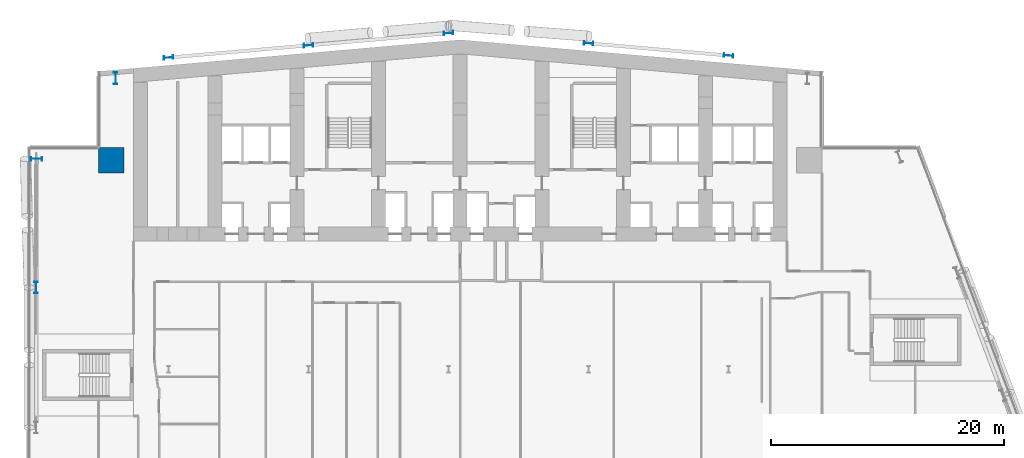
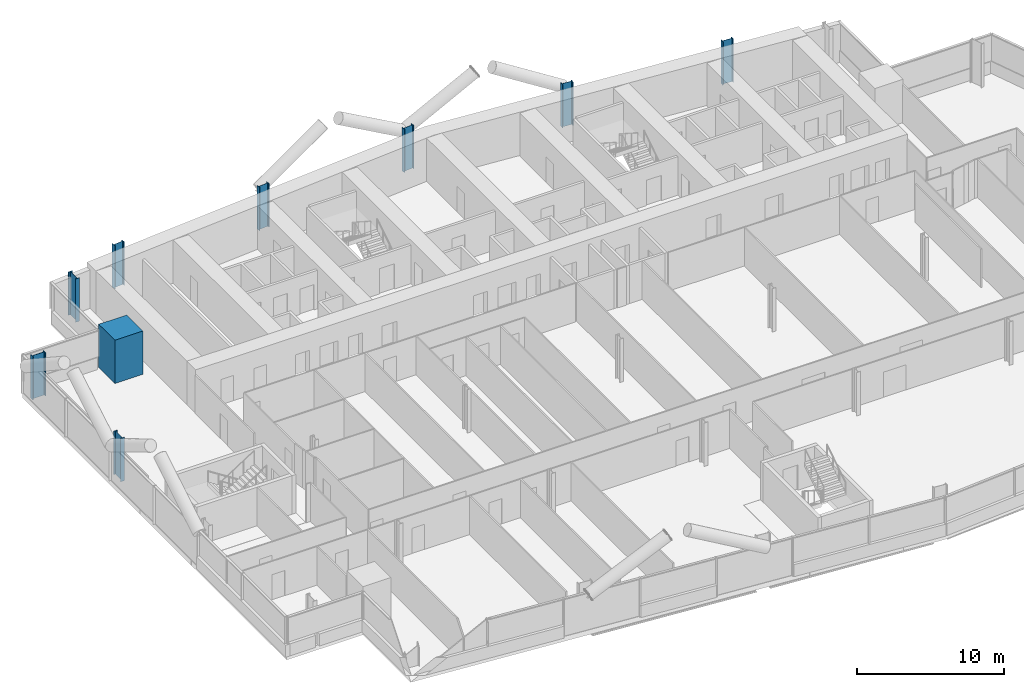
# One storey, part 2 of 27: 9 columns.
"""IFC4 building model written with IfcOpenShell, lengths in metres."""

from ifc_helpers import new_model, si_unit, direction, frame, origin, origin_2d, place, context, subcontext, project, spatial, rectangle, i_section, extrude, material, material_profile, profile_set, type_object, element, save


model = new_model("IFC4")

# Units and contexts
model_context = context("Model", 3, precision=1e-05, world=origin(), true_north=direction((0.0, 1.0)))
body_context = subcontext(model_context, "Body", "Model", "MODEL_VIEW")
ifc_project = project(units=[si_unit("LENGTHUNIT", "METRE"), si_unit("AREAUNIT", "SQUARE_METRE"), si_unit("VOLUMEUNIT", "CUBIC_METRE"), si_unit("PLANEANGLEUNIT", "RADIAN"), si_unit("MASSUNIT", "GRAM", prefix="KILO")], contexts=[model_context])

# Site, building, storey
site_placement = place(None, origin())
site = spatial("IfcSite", under=ifc_project, at=site_placement, CompositionType="ELEMENT")
building_placement = place(site_placement, origin())
building = spatial("IfcBuilding", under=site, at=building_placement, Name="Wharfspan Tower", CompositionType="ELEMENT")
storey_placement = place(building_placement, frame((0.0, 0.0, 45.100098)))
storey = spatial("IfcBuildingStorey", under=building, at=storey_placement, Name="L07", CompositionType="ELEMENT", Elevation=45.100098)

# Columns
ifc_material_1 = material(Name="Steel S355J2", Category="steel")
ifc_material_profile_1 = material_profile(ifc_material_1, i_section(OverallWidth=0.302002, OverallDepth=1.008057, WebThickness=0.020996, FlangeThickness=0.040039, FilletRadius=0.030029, at=origin_2d()))
ifc_profile_set_1 = profile_set([ifc_material_profile_1], Name="Steel S355J2")
column_type_1 = type_object("IfcColumnType", Name="Column HEM 1000", PredefinedType="COLUMN", material=ifc_profile_set_1)
for number, where, z_axis, x_axis, name in (
    (1, (7.466553, 47.933594, 0.0), (0.0, 0.0, 1.0), (-1.0, 0.0, 0.0), "Perimeter column PNRW-V.1 L07"),
    (2, (0.684814, 41.03418, 0.0), (0.0, 0.0, 1.0), (0.0, 1.0, 0.0), "Perimeter column PNRW-H.1 L07"),
    (3, (0.659912, 30.0, 0.0), (0.0, 0.0, 1.0), (-1.0, 0.0, 0.0), "Perimeter column PW.1 L07"),
):
    element("IfcColumn", number, at=place(storey_placement, frame(where, z_axis=z_axis, x_axis=x_axis)), inside=storey, type_object=column_type_1, Name=name, PredefinedType="COLUMN", context=body_context, shape_type="SweptSolid", body=[
        extrude(i_section(OverallWidth=0.302002, OverallDepth=1.008057, WebThickness=0.020996, FlangeThickness=0.040039, FilletRadius=0.030029, at=origin_2d()), origin(), (0.0, 0.0, 1.0), 3.599854),
    ])
ifc_material_profile_2 = material_profile(ifc_material_1, i_section(OverallWidth=0.302979, OverallDepth=0.813965, WebThickness=0.020996, FlangeThickness=0.040039, FilletRadius=0.030029, at=origin_2d()))
ifc_profile_set_2 = profile_set([ifc_material_profile_2], Name="Steel S355J2")
column_type_2 = type_object("IfcColumnType", Name="Column HEM 800", PredefinedType="COLUMN", material=ifc_profile_set_2)
for number, where, z_axis, x_axis, name in (
    (4, (12.0, 49.709961, 0.0), (0.0, 0.0, 1.0), (-0.087156, 0.996197, 0.0), "Rear column R.1 L07"),
    (5, (24.0, 50.759766, 0.0), (0.0, 0.0, 1.0), (-0.087156, 0.996197, 0.0), "Rear column R.2 L07"),
    (6, (36.0, 51.80957, 0.0), (0.0, 0.0, 1.0), (-0.087156, 0.996197, 0.0), "Rear column R.3 L07"),
    (7, (48.0, 50.934814, 0.0), (0.0, 0.0, 1.0), (0.087156, 0.996197, 0.0), "Rear column R.4 L07"),
    (8, (60.0, 49.884766, 0.0), (0.0, 0.0, 1.0), (0.087156, 0.996197, 0.0), "Rear column R.5 L07"),
):
    element("IfcColumn", number, at=place(storey_placement, frame(where, z_axis=z_axis, x_axis=x_axis)), inside=storey, type_object=column_type_2, Name=name, PredefinedType="COLUMN", context=body_context, shape_type="SweptSolid", body=[
        extrude(i_section(OverallWidth=0.302979, OverallDepth=0.813965, WebThickness=0.020996, FlangeThickness=0.040039, FilletRadius=0.030029, at=origin_2d()), origin(), (0.0, 0.0, 1.0), 3.599854),
    ])
ifc_material_2 = material(Name="Concrete C70/85", Category="concrete")
ifc_material_profile_3 = material_profile(ifc_material_2, rectangle(XDim=2.199951, YDim=2.199951, at=origin_2d()))
ifc_profile_set_3 = profile_set([ifc_material_profile_3], Name="Concrete C70/85")
column_type_3 = type_object("IfcColumnType", Name="Mega column 2200 C70/85", PredefinedType="COLUMN", material=ifc_profile_set_3)
column_placement = place(storey_placement, frame((7.100098, 40.899902, 0.0), z_axis=(0.0, 0.0, 1.0), x_axis=(1.0, 0.0, 0.0)))
element("IfcColumn", 9, at=column_placement, inside=storey, type_object=column_type_3, Name="Mega column MC2 L07", PredefinedType="COLUMN", context=body_context, shape_type="SweptSolid", body=[
    extrude(rectangle(XDim=2.199951, YDim=2.199951, at=origin_2d()), origin(), (0.0, 0.0, 1.0), 3.599854),
])

save(model, "model.ifc")
